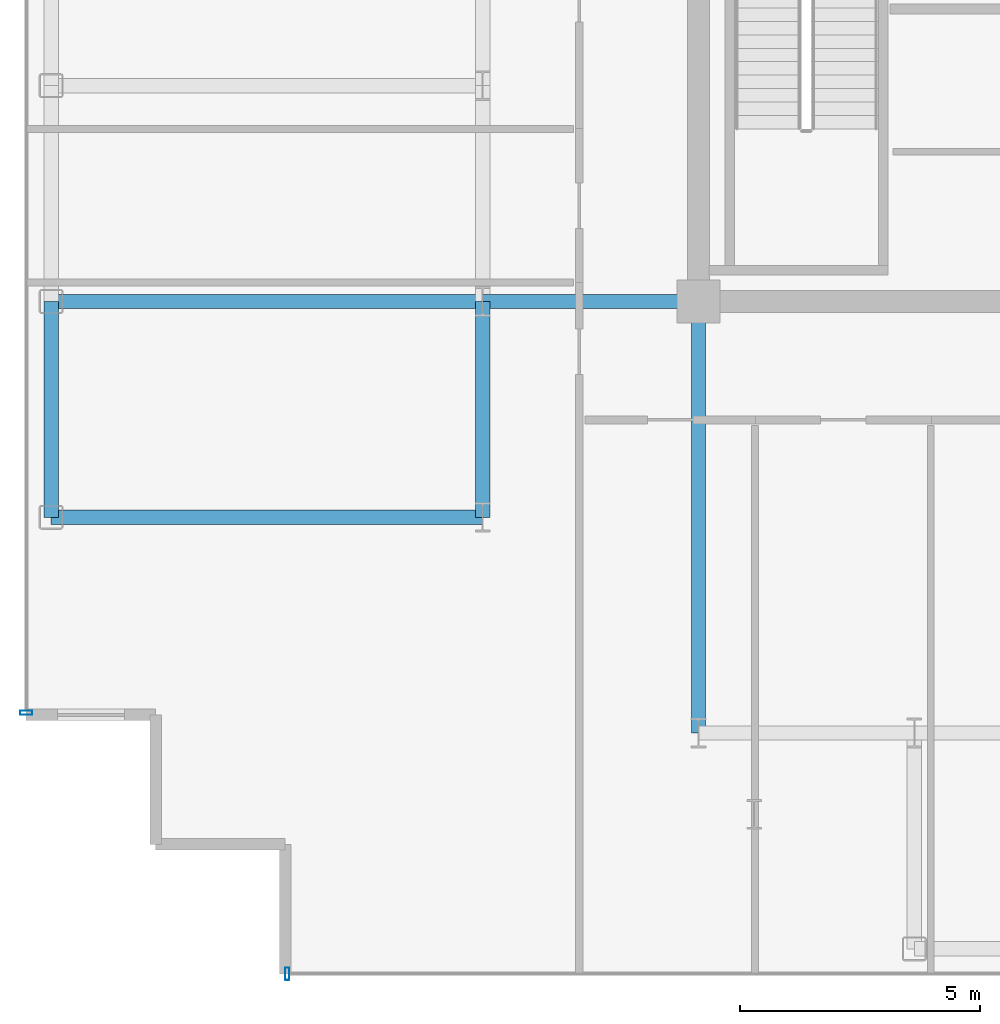
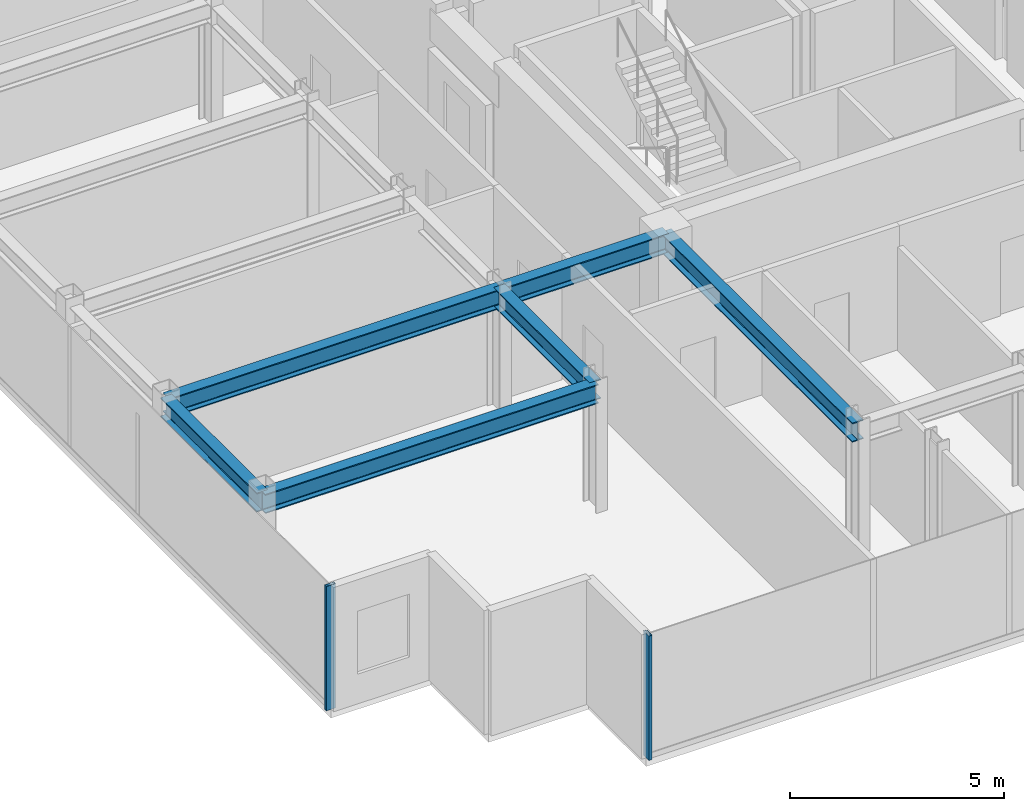
# One storey, part 2 of 18: 6 beams, 2 members, 2 elements without a shape of their own.
"""IFC4 building model written with IfcOpenShell, lengths in metres."""

from ifc_helpers import new_model, si_unit, direction, frame, origin, origin_2d, place, context, subcontext, project, spatial, hollow_rectangle, i_section, extrude, source, transform, mapped, material, layer, layer_set, material_profile, profile_set, type_object, element, aggregate, save


model = new_model("IFC4")

# Units and contexts
model_context = context("Model", 3, precision=1e-05, world=origin(), true_north=direction((0.0, 1.0)))
body_context = subcontext(model_context, "Body", "Model", "MODEL_VIEW")
ifc_project = project(units=[si_unit("LENGTHUNIT", "METRE"), si_unit("AREAUNIT", "SQUARE_METRE"), si_unit("VOLUMEUNIT", "CUBIC_METRE"), si_unit("PLANEANGLEUNIT", "RADIAN"), si_unit("MASSUNIT", "GRAM", prefix="KILO")], contexts=[model_context])

# Site, building, storey
site_placement = place(None, origin())
site = spatial("IfcSite", under=ifc_project, at=site_placement, CompositionType="ELEMENT")
building_placement = place(site_placement, origin())
building = spatial("IfcBuilding", under=site, at=building_placement, Name="Nefas-Gora Pilgrimage Tower", CompositionType="ELEMENT")
storey_placement = place(building_placement, frame((0.0, 0.0, 306.39990234375)))
storey = spatial("IfcBuildingStorey", under=building, at=storey_placement, Name="L77", CompositionType="ELEMENT", Elevation=306.39990234375)

# Beams
ifc_material_1 = material(Name="Steel S355", Category="steel")
ifc_material_profile_1 = material_profile(ifc_material_1, i_section(OverallWidth=0.300048828125, OverallDepth=0.550048828125, WebThickness=0.014892578125, FlangeThickness=0.029052734375, FilletRadius=0.027099609375, at=origin_2d()), Name="HEB 550")
ifc_profile_set_1 = profile_set([ifc_material_profile_1], Name="Steel S355")
beam_type_1 = type_object("IfcBeamType", Name="BM-SPN-HEB400", PredefinedType="SPANDREL", material=ifc_profile_set_1)
shared_shape_1 = source(origin(), body_context, "Body", "SweptSolid", [
    extrude(i_section(OverallWidth=0.300048828125, OverallDepth=0.550048828125, WebThickness=0.014892578125, FlangeThickness=0.029052734375, FilletRadius=0.027099609375, at=origin_2d()), origin(), (0.0, 0.0, 1.0), 4.5),
])
beam_placement = place(storey_placement, frame((-24.75, -13.5, 3.275146484375), z_axis=(0.0, 1.0, 0.0), x_axis=(-1.0, 0.0, 0.0)))
element("IfcBeam", 1, at=beam_placement, inside=storey, type_object=beam_type_1, Name="L77 SP-04 beam", PredefinedType="SPANDREL", context=body_context, shape_type="MappedRepresentation", body=[
    mapped(shared_shape_1, transform((0.0, 0.0, 0.0), x_axis=(1.0, 0.0, 0.0), y_axis=(0.0, 1.0, 0.0), z_axis=(0.0, 0.0, 1.0), scale=1.0)),
])
ifc_material_profile_2 = material_profile(ifc_material_1, i_section(OverallWidth=0.300048828125, OverallDepth=0.550048828125, WebThickness=0.014892578125, FlangeThickness=0.029052734375, FilletRadius=0.027099609375, at=origin_2d()), Name="HEB 550")
ifc_profile_set_2 = profile_set([ifc_material_profile_2], Name="Steel S355")
beam_type_2 = type_object("IfcBeamType", Name="BM-GIR-HEB550", PredefinedType="BEAM", material=ifc_profile_set_2)
shared_shape_2 = source(origin(), body_context, "Body", "SweptSolid", [
    extrude(i_section(OverallWidth=0.300048828125, OverallDepth=0.550048828125, WebThickness=0.014892578125, FlangeThickness=0.029052734375, FilletRadius=0.027099609375, at=origin_2d()), origin(), (0.0, 0.0, 1.0), 9.0),
])
for number, where, z_axis, x_axis, name in (
    (2, (-24.75, -13.5, 3.275146484375), (1.0, 0.0, 0.0), (0.0, 1.0, 0.0), "L77 G-05 beam"),
    (3, (-24.75, -9.0, 3.275146484375), (1.0, 0.0, 0.0), (0.0, 1.0, 0.0), "L77 G-05 beam"),
    (4, (-11.25, -18.0, 3.275146484375), (0.0, 1.0, 0.0), (-1.0, 0.0, 0.0), "L77 G-05 beam"),
):
    element("IfcBeam", number, at=place(storey_placement, frame(where, z_axis=z_axis, x_axis=x_axis)), inside=storey, type_object=beam_type_2, Name=name, PredefinedType="BEAM", context=body_context, shape_type="MappedRepresentation", body=[
        mapped(shared_shape_2, transform((0.0, 0.0, 0.0), x_axis=(1.0, 0.0, 0.0), y_axis=(0.0, 1.0, 0.0), z_axis=(0.0, 0.0, 1.0), scale=1.0)),
    ])
shared_shape_3 = source(origin(), body_context, "Body", "SweptSolid", [
    extrude(i_section(OverallWidth=0.300048828125, OverallDepth=0.550048828125, WebThickness=0.014892578125, FlangeThickness=0.029052734375, FilletRadius=0.027099609375, at=origin_2d()), origin(), (0.0, 0.0, 1.0), 4.5),
])
for number, where, z_axis, x_axis, name in (
    (5, (-15.75, -13.5, 3.275146484375), (0.0, 1.0, 0.0), (-1.0, 0.0, 0.0), "L77 G-05 beam"),
    (6, (-15.75, -9.0, 3.275146484375), (1.0, 0.0, 0.0), (0.0, 1.0, 0.0), "L77 G-05 beam"),
):
    element("IfcBeam", number, at=place(storey_placement, frame(where, z_axis=z_axis, x_axis=x_axis)), inside=storey, type_object=beam_type_2, Name=name, PredefinedType="BEAM", context=body_context, shape_type="MappedRepresentation", body=[
        mapped(shared_shape_3, transform((0.0, 0.0, 0.0), x_axis=(1.0, 0.0, 0.0), y_axis=(0.0, 1.0, 0.0), z_axis=(0.0, 0.0, 1.0), scale=1.0)),
    ])

# Curtain wall, member
ifc_material_2 = material(Name="Dark ceramic-fritted solar-control aluminium-glass curtain wall", Category="aluminium")
ifc_layer = layer(ifc_material_2, 0.219970703125)
ifc_layer_set = layer_set([ifc_layer], Name="Dark ceramic-fritted solar-control aluminium-glass curtain wall")
curtain_wall_type = type_object("IfcCurtainWallType", Name="CW-SYS-4", PredefinedType="NOTDEFINED", material=ifc_layer_set)
curtain_wall_1_placement = place(storey_placement, origin())
curtain_wall_1 = element("IfcCurtainWall", 7, at=curtain_wall_1_placement, inside=storey, type_object=curtain_wall_type, Name="L77 Unitised Curtain Wall CW4", PredefinedType="NOTDEFINED")
ifc_material_3 = material(Name="Anodised architectural aluminium", Category="aluminium")
ifc_material_profile_3 = material_profile(ifc_material_3, hollow_rectangle(XDim=0.090087890625, YDim=0.260009765625, WallThickness=0.006103515625, InnerFilletRadius=0.006103515625, OuterFilletRadius=0.011962890625, at=origin_2d()), Name="ALU MULLION 90x260")
ifc_profile_set_3 = profile_set([ifc_material_profile_3], Name="Anodised architectural aluminium")
member_type = type_object("IfcMemberType", Name="CWM-MUL-4", PredefinedType="MULLION", material=ifc_profile_set_3)
shared_shape_4 = source(origin(), body_context, "Body", "SweptSolid", [
    extrude(hollow_rectangle(XDim=0.090087890625, YDim=0.260009765625, WallThickness=0.006103515625, InnerFilletRadius=0.006103515625, OuterFilletRadius=0.011962890625, at=origin_2d()), origin(), (0.0, 0.0, 1.0), 3.550048828125),
])
member_1_placement = place(storey_placement, frame((-25.27001953125, -17.574951171875, 0.0), z_axis=(0.0, 0.0, 1.0), x_axis=(0.0, -1.0, 0.0)))
member_1 = element("IfcMember", 8, at=member_1_placement, type_object=member_type, Name="CW4 Mullion 3", PredefinedType="MULLION", context=body_context, shape_type="MappedRepresentation", body=[
    mapped(shared_shape_4, transform((0.0, 0.0, 0.0), x_axis=(1.0, 0.0, 0.0), y_axis=(0.0, 1.0, 0.0), z_axis=(0.0, 0.0, 1.0), scale=1.0)),
])
aggregate(curtain_wall_1, [member_1])

curtain_wall_2_placement = place(storey_placement, origin())
curtain_wall_2 = element("IfcCurtainWall", 9, at=curtain_wall_2_placement, inside=storey, type_object=curtain_wall_type, Name="L77 Unitised Curtain Wall CW4", PredefinedType="NOTDEFINED")
member_2_placement = place(storey_placement, frame((-19.824951171875, -23.02001953125, 0.0), z_axis=(0.0, 0.0, 1.0), x_axis=(1.0, 0.0, 0.0)))
member_2 = element("IfcMember", 10, at=member_2_placement, type_object=member_type, Name="CW4 Mullion 1", PredefinedType="MULLION", context=body_context, shape_type="MappedRepresentation", body=[
    mapped(shared_shape_4, transform((0.0, 0.0, 0.0), x_axis=(1.0, 0.0, 0.0), y_axis=(0.0, 1.0, 0.0), z_axis=(0.0, 0.0, 1.0), scale=1.0)),
])
aggregate(curtain_wall_2, [member_2])

save(model, "model.ifc")
